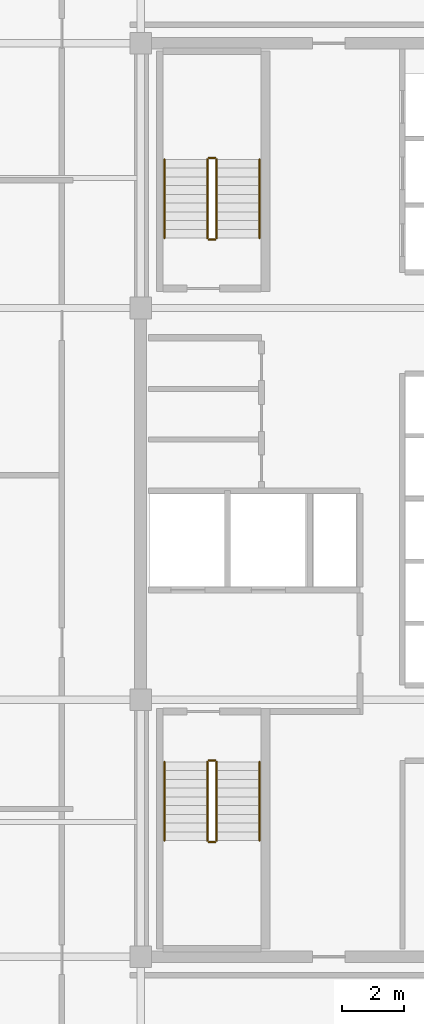
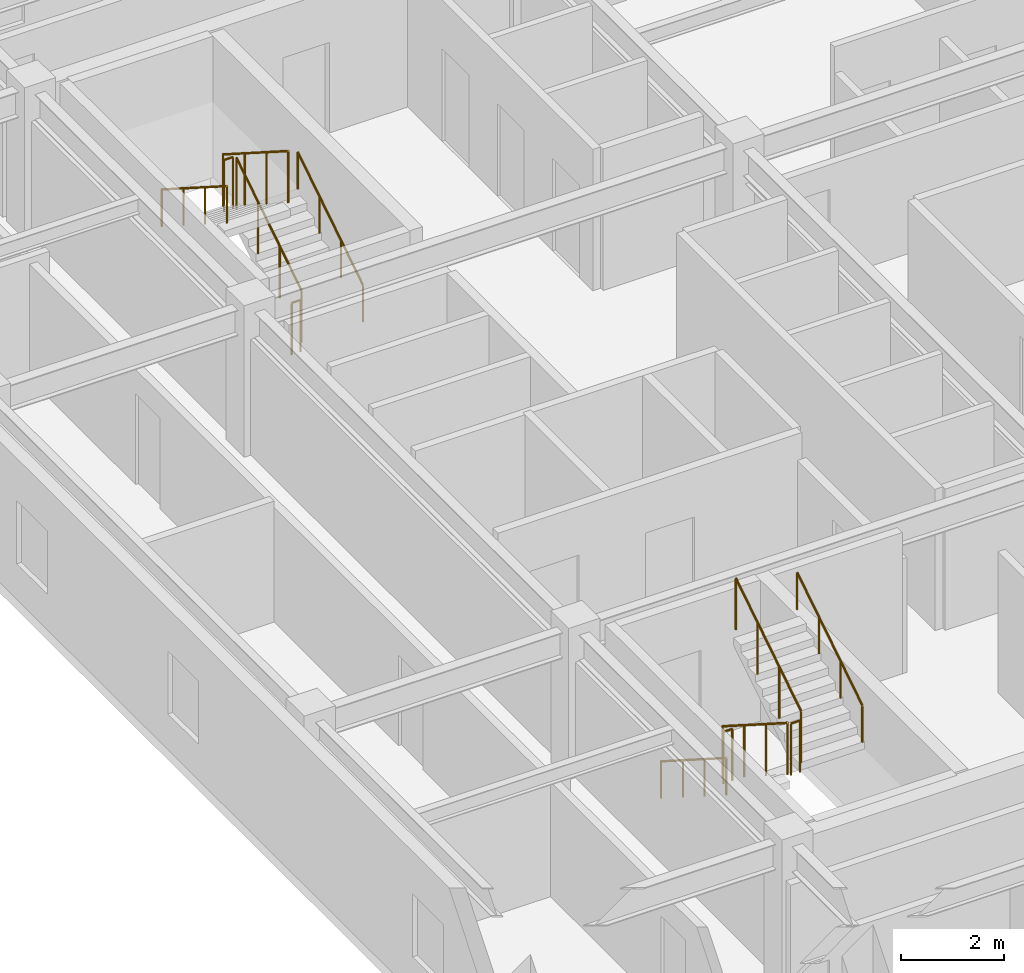
# One storey, part 8 of 8: 12 railings.
"""IFC4 building model written with IfcOpenShell, lengths in metres."""

from ifc_helpers import new_model, si_unit, direction, frame, origin, origin_2d, place, context, subcontext, project, spatial, circle, extrude, material, type_object, element, save


model = new_model("IFC4")

# Units and contexts
model_context = context("Model", 3, precision=1e-05, world=origin(), true_north=direction((0.0, 1.0)))
body_context = subcontext(model_context, "Body", "Model", "MODEL_VIEW")
ifc_project = project(units=[si_unit("LENGTHUNIT", "METRE"), si_unit("AREAUNIT", "SQUARE_METRE"), si_unit("VOLUMEUNIT", "CUBIC_METRE"), si_unit("PLANEANGLEUNIT", "RADIAN"), si_unit("MASSUNIT", "GRAM", prefix="KILO")], contexts=[model_context])

# Site, building, storey
site_placement = place(None, origin())
site = spatial("IfcSite", under=ifc_project, at=site_placement, CompositionType="ELEMENT")
building_placement = place(site_placement, origin())
building = spatial("IfcBuilding", under=site, at=building_placement, Name="Ochreholt Gables", CompositionType="ELEMENT")
storey_placement = place(building_placement, frame((0.0, 0.0, 151.800048828125)))
storey = spatial("IfcBuildingStorey", under=building, at=storey_placement, Name="L39", CompositionType="ELEMENT", Elevation=151.800048828125)

# Railings
ifc_material_1 = material(Name="Painted Steel Stair Guardrail", Category="steel")
railing_type_1 = type_object("IfcRailingType", Name="RL-ST-GUARD", PredefinedType="GUARDRAIL", material=ifc_material_1)
railing_1_placement = place(storey_placement, frame((26.35009765625, 15.5400390625, 0.179931640625)))
element("IfcRailing", 1, at=railing_1_placement, inside=storey, type_object=railing_type_1, Name="L39 ST-1 stair guard 1", PredefinedType="GUARDRAIL", context=body_context, shape_type="SweptSolid", body=[
    extrude(circle(Radius=0.02392578125, at=origin_2d()), frame((0.0, 0.0, 1.22607421875), z_axis=(0.0, -0.842912820907, 0.538050161556), x_axis=(1.0, 0.0, 0.0)), (0.0, 0.0, 1.0), 3.010986328125),
    extrude(circle(Radius=0.02099609375, at=origin_2d()), origin(), (0.0, 0.0, 1.0), 1.201904296875),
    extrude(circle(Radius=0.02099609375, at=origin_2d()), frame((0.0, -0.845947265625, 0.5400390625)), (0.0, 0.0, 1.0), 1.201904296875),
    extrude(circle(Radius=0.02099609375, at=origin_2d()), frame((0.0, -1.692138671875, 1.080078125)), (0.0, 0.0, 1.0), 1.201904296875),
    extrude(circle(Radius=0.02099609375, at=origin_2d()), frame((0.0, -2.5380859375, 1.6201171875)), (0.0, 0.0, 1.0), 1.201904296875),
])
railing_2_placement = place(storey_placement, frame((26.39990234375, 12.951904296875, 1.800048828125)))
element("IfcRailing", 2, at=railing_2_placement, inside=storey, type_object=railing_type_1, Name="L39 ST-1 stair guard 2", PredefinedType="GUARDRAIL", context=body_context, shape_type="SweptSolid", body=[
    extrude(circle(Radius=0.02392578125, at=origin_2d()), frame((0.0, 0.0, 1.22607421875), z_axis=(1.0, 0.0, 0.0), x_axis=(0.0, 1.0, 0.0)), (0.0, 0.0, 1.0), 0.2001953125),
    extrude(circle(Radius=0.02099609375, at=origin_2d()), origin(), (0.0, 0.0, 1.0), 1.201904296875),
    extrude(circle(Radius=0.02099609375, at=origin_2d()), frame((0.2001953125, 0.0, 0.0)), (0.0, 0.0, 1.0), 1.201904296875),
])
railing_3_placement = place(storey_placement, frame((26.64990234375, 13.001953125, 1.97998046875)))
element("IfcRailing", 3, at=railing_3_placement, inside=storey, type_object=railing_type_1, Name="L39 ST-1 stair guard 3", PredefinedType="GUARDRAIL", context=body_context, shape_type="SweptSolid", body=[
    extrude(circle(Radius=0.02392578125, at=origin_2d()), frame((0.0, 0.0, 1.22607421875), z_axis=(0.0, 0.842949592929, 0.537992549931), x_axis=(-1.0, 0.0, 0.0)), (0.0, 0.0, 1.0), 3.010986328125),
    extrude(circle(Radius=0.02099609375, at=origin_2d()), origin(), (0.0, 0.0, 1.0), 1.201904296875),
    extrude(circle(Radius=0.02099609375, at=origin_2d()), frame((0.0, 0.845947265625, 0.5400390625)), (0.0, 0.0, 1.0), 1.201904296875),
    extrude(circle(Radius=0.02099609375, at=origin_2d()), frame((0.0, 1.692138671875, 1.079833984375)), (0.0, 0.0, 1.0), 1.201904296875),
    extrude(circle(Radius=0.02099609375, at=origin_2d()), frame((0.0, 2.5380859375, 1.619873046875)), (0.0, 0.0, 1.0), 1.201904296875),
])
railing_4_placement = place(storey_placement, frame((26.39990234375, 15.590087890625, 0.0)))
element("IfcRailing", 4, at=railing_4_placement, inside=storey, type_object=railing_type_1, Name="L39 ST-1 stair guard 4", PredefinedType="GUARDRAIL", context=body_context, shape_type="SweptSolid", body=[
    extrude(circle(Radius=0.02392578125, at=origin_2d()), frame((0.0, 0.0, 1.22607421875), z_axis=(1.0, 0.0, 0.0), x_axis=(0.0, 1.0, 0.0)), (0.0, 0.0, 1.0), 0.2001953125),
    extrude(circle(Radius=0.02099609375, at=origin_2d()), origin(), (0.0, 0.0, 1.0), 1.201904296875),
    extrude(circle(Radius=0.02099609375, at=origin_2d()), frame((0.2001953125, 0.0, 0.0)), (0.0, 0.0, 1.0), 1.201904296875),
])
railing_5_placement = place(storey_placement, frame((26.64990234375, 32.4599609375, 0.179931640625)))
element("IfcRailing", 5, at=railing_5_placement, inside=storey, type_object=railing_type_1, Name="L39 ST-2 stair guard 1", PredefinedType="GUARDRAIL", context=body_context, shape_type="SweptSolid", body=[
    extrude(circle(Radius=0.02392578125, at=origin_2d()), frame((0.0, 0.0, 1.22607421875), z_axis=(0.0, 0.842912820907, 0.538050161556), x_axis=(-1.0, 0.0, 0.0)), (0.0, 0.0, 1.0), 3.010986328125),
    extrude(circle(Radius=0.02099609375, at=origin_2d()), origin(), (0.0, 0.0, 1.0), 1.201904296875),
    extrude(circle(Radius=0.02099609375, at=origin_2d()), frame((0.0, 0.845947265625, 0.5400390625)), (0.0, 0.0, 1.0), 1.201904296875),
    extrude(circle(Radius=0.02099609375, at=origin_2d()), frame((0.0, 1.692138671875, 1.080078125)), (0.0, 0.0, 1.0), 1.201904296875),
    extrude(circle(Radius=0.02099609375, at=origin_2d()), frame((0.0, 2.5380859375, 1.6201171875)), (0.0, 0.0, 1.0), 1.201904296875),
])
railing_6_placement = place(storey_placement, frame((26.60009765625, 35.048095703125, 1.800048828125)))
element("IfcRailing", 6, at=railing_6_placement, inside=storey, type_object=railing_type_1, Name="L39 ST-2 stair guard 2", PredefinedType="GUARDRAIL", context=body_context, shape_type="SweptSolid", body=[
    extrude(circle(Radius=0.02392578125, at=origin_2d()), frame((0.0, 0.0, 1.22607421875), z_axis=(-1.0, 0.0, 0.0), x_axis=(0.0, -1.0, 0.0)), (0.0, 0.0, 1.0), 0.2001953125),
    extrude(circle(Radius=0.02099609375, at=origin_2d()), origin(), (0.0, 0.0, 1.0), 1.201904296875),
    extrude(circle(Radius=0.02099609375, at=origin_2d()), frame((-0.2001953125, 0.0, 0.0)), (0.0, 0.0, 1.0), 1.201904296875),
])
railing_7_placement = place(storey_placement, frame((26.35009765625, 34.998046875, 1.97998046875)))
element("IfcRailing", 7, at=railing_7_placement, inside=storey, type_object=railing_type_1, Name="L39 ST-2 stair guard 3", PredefinedType="GUARDRAIL", context=body_context, shape_type="SweptSolid", body=[
    extrude(circle(Radius=0.02392578125, at=origin_2d()), frame((0.0, 0.0, 1.22607421875), z_axis=(0.0, -0.842949592929, 0.537992549931), x_axis=(1.0, 0.0, 0.0)), (0.0, 0.0, 1.0), 3.010986328125),
    extrude(circle(Radius=0.02099609375, at=origin_2d()), origin(), (0.0, 0.0, 1.0), 1.201904296875),
    extrude(circle(Radius=0.02099609375, at=origin_2d()), frame((0.0, -0.845947265625, 0.5400390625)), (0.0, 0.0, 1.0), 1.201904296875),
    extrude(circle(Radius=0.02099609375, at=origin_2d()), frame((0.0, -1.692138671875, 1.079833984375)), (0.0, 0.0, 1.0), 1.201904296875),
    extrude(circle(Radius=0.02099609375, at=origin_2d()), frame((0.0, -2.5380859375, 1.619873046875)), (0.0, 0.0, 1.0), 1.201904296875),
])
railing_8_placement = place(storey_placement, frame((26.60009765625, 32.409912109375, 0.0)))
element("IfcRailing", 8, at=railing_8_placement, inside=storey, type_object=railing_type_1, Name="L39 ST-2 stair guard 4", PredefinedType="GUARDRAIL", context=body_context, shape_type="SweptSolid", body=[
    extrude(circle(Radius=0.02392578125, at=origin_2d()), frame((0.0, 0.0, 1.22607421875), z_axis=(-1.0, 0.0, 0.0), x_axis=(0.0, -1.0, 0.0)), (0.0, 0.0, 1.0), 0.2001953125),
    extrude(circle(Radius=0.02099609375, at=origin_2d()), origin(), (0.0, 0.0, 1.0), 1.201904296875),
    extrude(circle(Radius=0.02099609375, at=origin_2d()), frame((-0.2001953125, 0.0, 0.0)), (0.0, 0.0, 1.0), 1.201904296875),
])
ifc_material_2 = material(Name="Brushed Stainless Steel Wall Handrail", Category="steel")
railing_type_2 = type_object("IfcRailingType", Name="RL-ST-HAND", PredefinedType="HANDRAIL", material=ifc_material_2)
railing_9_placement = place(storey_placement, frame((24.969970703125, 15.5400390625, 0.179931640625)))
element("IfcRailing", 9, at=railing_9_placement, inside=storey, type_object=railing_type_2, Name="L39 ST-1 stair handrail 1", PredefinedType="HANDRAIL", context=body_context, shape_type="SweptSolid", body=[
    extrude(circle(Radius=0.02392578125, at=origin_2d()), frame((0.0, 0.0, 0.8759765625), z_axis=(0.0, -0.842912820907, 0.538050161556), x_axis=(1.0, 0.0, 0.0)), (0.0, 0.0, 1.0), 3.010986328125),
    extrude(circle(Radius=0.02099609375, at=origin_2d()), origin(), (0.0, 0.0, 1.0), 0.851806640625),
    extrude(circle(Radius=0.02099609375, at=origin_2d()), frame((0.0, -0.845947265625, 0.5400390625)), (0.0, 0.0, 1.0), 0.851806640625),
    extrude(circle(Radius=0.02099609375, at=origin_2d()), frame((0.0, -1.692138671875, 1.080078125)), (0.0, 0.0, 1.0), 0.851806640625),
    extrude(circle(Radius=0.02099609375, at=origin_2d()), frame((0.0, -2.5380859375, 1.6201171875)), (0.0, 0.0, 1.0), 0.851806640625),
])
railing_10_placement = place(storey_placement, frame((28.030029296875, 13.001953125, 1.97998046875)))
element("IfcRailing", 10, at=railing_10_placement, inside=storey, type_object=railing_type_2, Name="L39 ST-1 stair handrail 2", PredefinedType="HANDRAIL", context=body_context, shape_type="SweptSolid", body=[
    extrude(circle(Radius=0.02392578125, at=origin_2d()), frame((0.0, 0.0, 0.8759765625), z_axis=(0.0, 0.842949592929, 0.537992549931), x_axis=(-1.0, 0.0, 0.0)), (0.0, 0.0, 1.0), 3.010986328125),
    extrude(circle(Radius=0.02099609375, at=origin_2d()), origin(), (0.0, 0.0, 1.0), 0.851806640625),
    extrude(circle(Radius=0.02099609375, at=origin_2d()), frame((0.0, 0.845947265625, 0.5400390625)), (0.0, 0.0, 1.0), 0.851806640625),
    extrude(circle(Radius=0.02099609375, at=origin_2d()), frame((0.0, 1.692138671875, 1.079833984375)), (0.0, 0.0, 1.0), 0.851806640625),
    extrude(circle(Radius=0.02099609375, at=origin_2d()), frame((0.0, 2.5380859375, 1.619873046875)), (0.0, 0.0, 1.0), 0.851806640625),
])
railing_11_placement = place(storey_placement, frame((28.030029296875, 32.4599609375, 0.179931640625)))
element("IfcRailing", 11, at=railing_11_placement, inside=storey, type_object=railing_type_2, Name="L39 ST-2 stair handrail 1", PredefinedType="HANDRAIL", context=body_context, shape_type="SweptSolid", body=[
    extrude(circle(Radius=0.02392578125, at=origin_2d()), frame((0.0, 0.0, 0.8759765625), z_axis=(0.0, 0.842912820907, 0.538050161556), x_axis=(-1.0, 0.0, 0.0)), (0.0, 0.0, 1.0), 3.010986328125),
    extrude(circle(Radius=0.02099609375, at=origin_2d()), origin(), (0.0, 0.0, 1.0), 0.851806640625),
    extrude(circle(Radius=0.02099609375, at=origin_2d()), frame((0.0, 0.845947265625, 0.5400390625)), (0.0, 0.0, 1.0), 0.851806640625),
    extrude(circle(Radius=0.02099609375, at=origin_2d()), frame((0.0, 1.692138671875, 1.080078125)), (0.0, 0.0, 1.0), 0.851806640625),
    extrude(circle(Radius=0.02099609375, at=origin_2d()), frame((0.0, 2.5380859375, 1.6201171875)), (0.0, 0.0, 1.0), 0.851806640625),
])
railing_12_placement = place(storey_placement, frame((24.969970703125, 34.998046875, 1.97998046875)))
element("IfcRailing", 12, at=railing_12_placement, inside=storey, type_object=railing_type_2, Name="L39 ST-2 stair handrail 2", PredefinedType="HANDRAIL", context=body_context, shape_type="SweptSolid", body=[
    extrude(circle(Radius=0.02392578125, at=origin_2d()), frame((0.0, 0.0, 0.8759765625), z_axis=(0.0, -0.842949592929, 0.537992549931), x_axis=(1.0, 0.0, 0.0)), (0.0, 0.0, 1.0), 3.010986328125),
    extrude(circle(Radius=0.02099609375, at=origin_2d()), origin(), (0.0, 0.0, 1.0), 0.851806640625),
    extrude(circle(Radius=0.02099609375, at=origin_2d()), frame((0.0, -0.845947265625, 0.5400390625)), (0.0, 0.0, 1.0), 0.851806640625),
    extrude(circle(Radius=0.02099609375, at=origin_2d()), frame((0.0, -1.692138671875, 1.079833984375)), (0.0, 0.0, 1.0), 0.851806640625),
    extrude(circle(Radius=0.02099609375, at=origin_2d()), frame((0.0, -2.5380859375, 1.619873046875)), (0.0, 0.0, 1.0), 0.851806640625),
])

save(model, "model.ifc")
